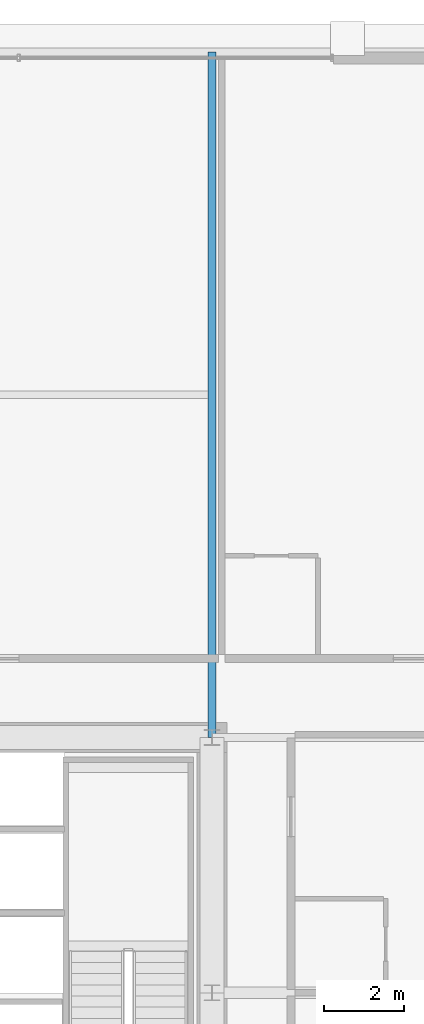
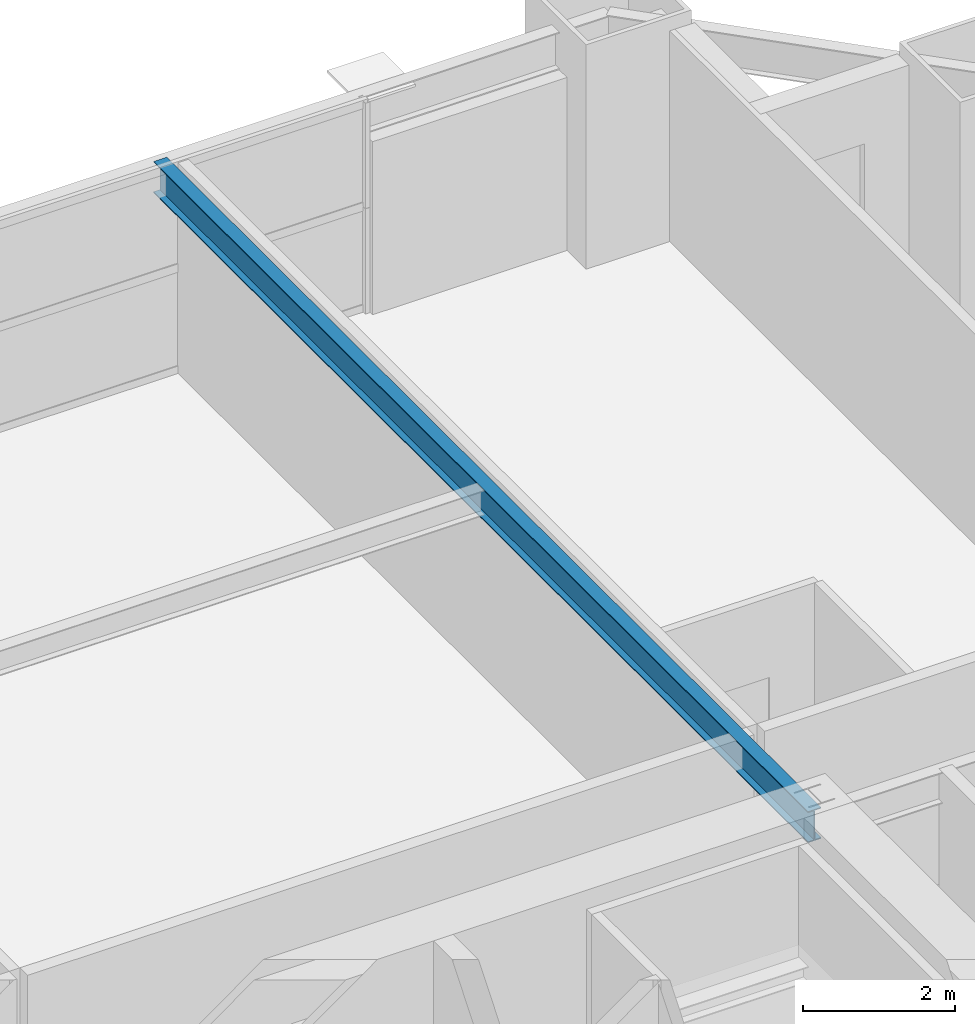
# One storey, part 28 of 39: 1 beam.
"""IFC4 building model written with IfcOpenShell, lengths in metres."""

from ifc_helpers import new_model, si_unit, direction, frame, origin, origin_2d, place, context, subcontext, project, spatial, i_section, extrude, source, transform, mapped, material, material_profile, profile_set, type_object, element, save


model = new_model("IFC4")

# Units and contexts
model_context = context("Model", 3, precision=1e-05, world=origin(), true_north=direction((0.0, 1.0)))
body_context = subcontext(model_context, "Body", "Model", "MODEL_VIEW")
ifc_project = project(units=[si_unit("LENGTHUNIT", "METRE"), si_unit("AREAUNIT", "SQUARE_METRE"), si_unit("VOLUMEUNIT", "CUBIC_METRE"), si_unit("PLANEANGLEUNIT", "RADIAN"), si_unit("MASSUNIT", "GRAM", prefix="KILO"), si_unit("THERMODYNAMICTEMPERATUREUNIT", "KELVIN"), si_unit("POWERUNIT", "WATT")], contexts=[model_context])

# Site, building, storey
site_placement = place(None, origin())
site = spatial("IfcSite", under=ifc_project, at=site_placement, CompositionType="ELEMENT")
building_placement = place(site_placement, origin())
building = spatial("IfcBuilding", under=site, at=building_placement, Name="Yuzanri Waterfront Tower", CompositionType="ELEMENT")
storey_placement = place(building_placement, frame((0.0, 0.0, 141.60009765625)))
storey = spatial("IfcBuildingStorey", under=building, at=storey_placement, Name="L37", CompositionType="ELEMENT", Elevation=141.60009765625)

# Beam
ifc_material = material(Name="Steel Q355B", Category="steel")
ifc_material_profile = material_profile(ifc_material, i_section(OverallWidth=0.199951171875, OverallDepth=0.5, WebThickness=0.010009765625, FlangeThickness=0.01611328125, at=origin_2d()), Name="HN 500x200x10x16")
ifc_profile_set = profile_set([ifc_material_profile], Name="Steel Q355B")
beam_type = type_object("IfcBeamType", Name="Secondary Floor Beam Q355B HN 500x200", PredefinedType="BEAM", material=ifc_profile_set)
shared_shape = source(origin(), body_context, "Body", "SweptSolid", [
    extrude(i_section(OverallWidth=0.199951171875, OverallDepth=0.5, WebThickness=0.010009765625, FlangeThickness=0.01611328125, at=origin_2d()), origin(), (0.0, 0.0, 1.0), 17.199951171875),
])
beam_placement = place(storey_placement, frame((50.199951171875, 32.199951171875, 3.1298828125), z_axis=(0.0, 1.0, 0.0), x_axis=(-1.0, 0.0, 0.0)))
element("IfcBeam", 1, at=beam_placement, inside=storey, type_object=beam_type, Name="L37 North-East Core Line Beam", PredefinedType="BEAM", context=body_context, shape_type="MappedRepresentation", body=[
    mapped(shared_shape, transform((0.0, 0.0, 0.0), scale=1.0)),
])

save(model, "model.ifc")
